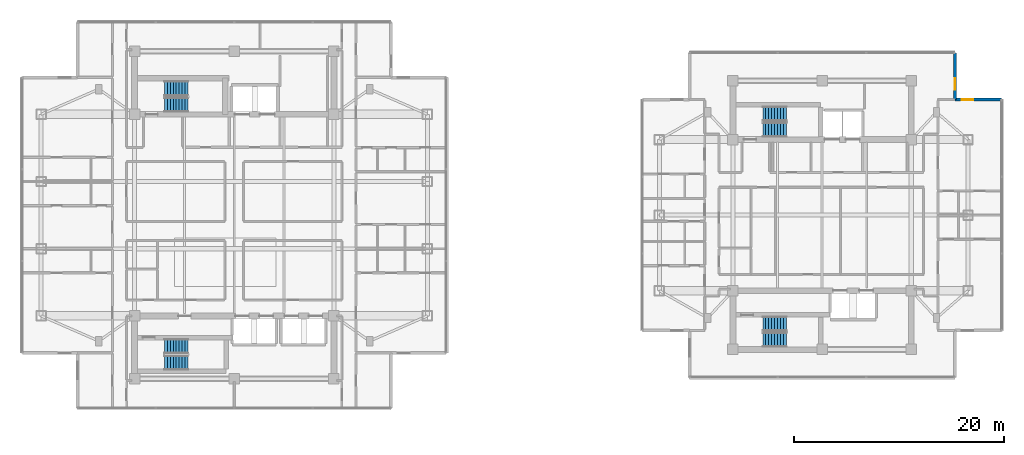
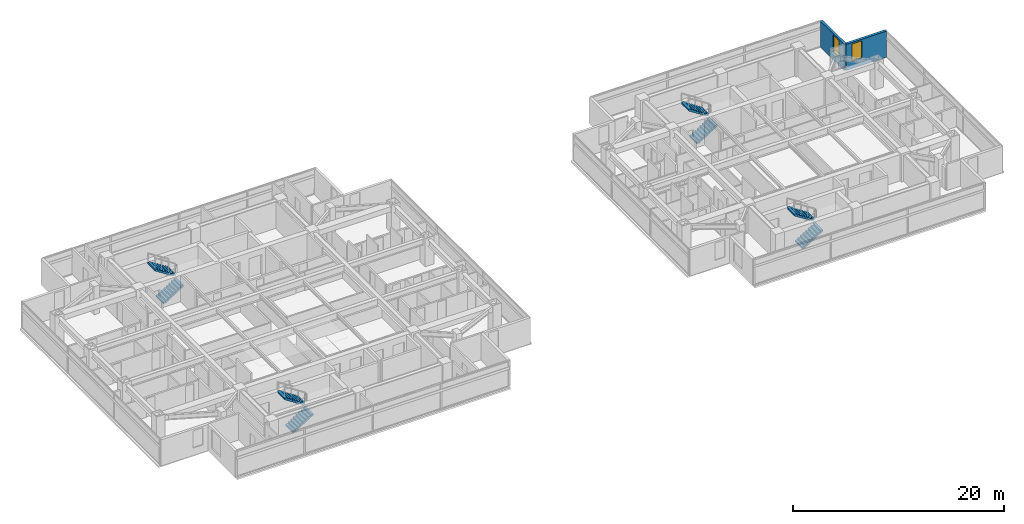
# One storey, part 18 of 24: 8 stair flights, 2 walls, 2 windows, 2 openings, 4 elements without a shape of their own.
"""IFC4 building model written with IfcOpenShell, lengths in metres."""

from ifc_helpers import new_model, si_unit, direction, frame, frame_2d, origin, place, context, subcontext, project, spatial, polyline, rectangle, outline, extrude, material, layer, layer_set, type_object, element, fill, aggregate, save


model = new_model("IFC4")

# Units and contexts
model_context = context("Model", 3, precision=1e-05, world=origin(), true_north=direction((0.0, 1.0)))
body_context = subcontext(model_context, "Body", "Model", "MODEL_VIEW")
ifc_project = project(units=[si_unit("LENGTHUNIT", "METRE"), si_unit("AREAUNIT", "SQUARE_METRE"), si_unit("VOLUMEUNIT", "CUBIC_METRE"), si_unit("PLANEANGLEUNIT", "RADIAN"), si_unit("MASSUNIT", "GRAM", prefix="KILO")], contexts=[model_context])

# Site, building, storey
site_placement = place(None, origin())
site = spatial("IfcSite", under=ifc_project, at=site_placement, CompositionType="ELEMENT")
building_placement = place(site_placement, origin())
building = spatial("IfcBuilding", under=site, at=building_placement, Name="Mirazonda Arch Towers", CompositionType="ELEMENT")
storey_placement = place(building_placement, frame((0.0, 0.0, 160.89990234375)))
storey = spatial("IfcBuildingStorey", under=building, at=storey_placement, Name="L45", CompositionType="ELEMENT", Elevation=160.89990234375)

# Wall, opening, window
ifc_material_1 = material(Name="Precast Concrete C40/50", Category="concrete")
ifc_layer = layer(ifc_material_1, 0.280029296875, Name="WALL-EXT-WALL-280")
ifc_layer_set = layer_set([ifc_layer], Name="Precast Concrete C40/50")
wall_type = type_object("IfcWallType", Name="WALL-EXT-WALL-280", PredefinedType="SOLIDWALL", material=ifc_layer_set)
wall_1_placement = place(storey_placement, frame((89.143310546875, 38.992919921875, 0.0), z_axis=(0.0, 0.0, 1.0), x_axis=(0.0, 1.0, 0.0)))
wall_1 = element("IfcWall", 1, at=wall_1_placement, inside=storey, type_object=wall_type, Name="L45 T2 Notched NE Corner Wall WL-L45-T2-CNE", PredefinedType="SOLIDWALL", context=body_context, shape_type="SweptSolid", body=[
    extrude(rectangle(XDim=4.465087890625, YDim=0.280029296875, at=frame_2d((2.232421875, 0.0))), origin(), (0.0, 0.0, 1.0), 3.030029296875),
])
opening_1_placement = place(wall_1_placement, frame((0.949951171875, 0.0, 0.85009765625)))
opening_1 = element("IfcOpeningElement", 2, at=opening_1_placement, cuts=wall_1, Name="Opening WN-108", PredefinedType="OPENING", context=body_context, shape_type="SweptSolid", body=[
    extrude(rectangle(XDim=1.10009765625, YDim=2.0, at=frame_2d((0.550048828125, 1.0))), frame((0.0, 0.14990234375, 0.0), z_axis=(0.0, -1.0, 0.0), x_axis=(1.0, 0.0, 0.0)), (0.0, 0.0, 1.0), 0.300048828125),
])
ifc_material_2 = material(Name="Insulated Low-E Solar Glass", Category="glass")
window_type = type_object("IfcWindowType", Name="WIN-NOTCH-1100x2000", PartitioningType="SINGLE_PANEL", PredefinedType="WINDOW", material=ifc_material_2)
window_1_placement = place(opening_1_placement, origin())
window_1 = element("IfcWindow", 3, at=window_1_placement, inside=storey, type_object=window_type, Name="L45 Punched Facade Window WN-L45-T2-CNE", OverallHeight=2.0, OverallWidth=1.10009765625, PartitioningType="SINGLE_PANEL", PredefinedType="WINDOW", context=body_context, shape_type="SweptSolid", body=[
    extrude(rectangle(XDim=1.10009765625, YDim=2.0, at=frame_2d((0.550048828125, 1.0))), frame((0.0, 0.030029296875, 0.0), z_axis=(0.0, -1.0, 0.0), x_axis=(1.0, 0.0, 0.0)), (0.0, 0.0, 1.0), 0.06005859375),
])
fill(opening_1, window_1)

wall_2_placement = place(storey_placement, frame((93.6083984375, 38.992919921875, 0.0), z_axis=(0.0, 0.0, 1.0), x_axis=(-1.0, 0.0, 0.0)))
wall_2 = element("IfcWall", 4, at=wall_2_placement, inside=storey, type_object=wall_type, Name="L45 T2 Corner Notch Return Wall WL-L45-T2-CNE2", PredefinedType="SOLIDWALL", context=body_context, shape_type="SweptSolid", body=[
    extrude(rectangle(XDim=4.465087890625, YDim=0.280029296875, at=frame_2d((2.232421875, 0.0))), origin(), (0.0, 0.0, 1.0), 3.030029296875),
])
opening_2_placement = place(wall_2_placement, frame((2.715087890625, 0.0, 0.85009765625)))
opening_2 = element("IfcOpeningElement", 5, at=opening_2_placement, cuts=wall_2, Name="Opening WN-108", PredefinedType="OPENING", context=body_context, shape_type="SweptSolid", body=[
    extrude(rectangle(XDim=1.10009765625, YDim=2.0, at=frame_2d((0.550048828125, 1.0))), frame((0.0, 0.14990234375, 0.0), z_axis=(0.0, -1.0, 0.0), x_axis=(1.0, 0.0, 0.0)), (0.0, 0.0, 1.0), 0.300048828125),
])
window_2_placement = place(opening_2_placement, origin())
window_2 = element("IfcWindow", 6, at=window_2_placement, inside=storey, type_object=window_type, Name="L45 Punched Facade Window WN-L45-T2-CNE2", OverallHeight=2.0, OverallWidth=1.10009765625, PartitioningType="SINGLE_PANEL", PredefinedType="WINDOW", context=body_context, shape_type="SweptSolid", body=[
    extrude(rectangle(XDim=1.10009765625, YDim=2.0, at=frame_2d((0.550048828125, 1.0))), frame((0.0, 0.030029296875, 0.0), z_axis=(0.0, -1.0, 0.0), x_axis=(1.0, 0.0, 0.0)), (0.0, 0.0, 1.0), 0.06005859375),
])
fill(opening_2, window_2)

# Stair, stair flights
ifc_material_3 = material(Name="Concrete C40/50", Category="concrete")
stair_type = type_object("IfcStairType", Name="STAIR-CORE-1400", PredefinedType="HALF_TURN_STAIR", material=ifc_material_3)
stair_1_placement = place(storey_placement, origin())
stair_1 = element("IfcStair", 7, at=stair_1_placement, inside=storey, type_object=stair_type, Name="L45 Protected Exit Stair ST-T1N", PredefinedType="HALF_TURN_STAIR")
stair_flight_type = type_object("IfcStairFlightType", Name="FLIGHT-1400", PredefinedType="STRAIGHT", material=ifc_material_3)
stair_flight_1_placement = place(storey_placement, frame((13.85009765625, 38.52001953125, 0.0), z_axis=(0.0, 0.0, 1.0), x_axis=(1.0, 0.0, 0.0)))
stair_flight_1 = element("IfcStairFlight", 8, at=stair_flight_1_placement, type_object=stair_flight_type, Name="ST-T1N flight 1", NumberOfRisers=9, NumberOfTreads=8, PredefinedType="STRAIGHT", RiserHeight=0.180555556, TreadLength=0.28, context=body_context, shape_type="SweptSolid", body=[
    extrude(outline(polyline([(0.0, 0.0), (0.0, 0.1806640625), (0.280029296875, 0.1806640625), (0.280029296875, 0.361083984375), (0.56005859375, 0.361083984375), (0.56005859375, 0.541748046875), (0.840087890625, 0.541748046875), (0.840087890625, 0.72216796875), (1.1201171875, 0.72216796875), (1.1201171875, 0.90283203125), (1.39990234375, 0.90283203125), (1.39990234375, 1.083251953125), (1.679931640625, 1.083251953125), (1.679931640625, 1.263916015625), (1.9599609375, 1.263916015625), (1.9599609375, 1.4443359375), (2.239990234375, 1.4443359375), (2.239990234375, 1.625), (2.239990234375, 1.254150390625), (0.295166015625, 0.0), (0.0, 0.0)])), frame((0.0, 0.699951171875, 0.0), z_axis=(0.0, -1.0, 0.0), x_axis=(1.0, 0.0, 0.0)), (0.0, 0.0, 1.0), 1.39990234375),
])
stair_flight_2_placement = place(storey_placement, frame((16.090087890625, 40.06005859375, 1.625), z_axis=(0.0, 0.0, 1.0), x_axis=(-1.0, 0.0, 0.0)))
stair_flight_2 = element("IfcStairFlight", 9, at=stair_flight_2_placement, type_object=stair_flight_type, Name="ST-T1N flight 2", NumberOfRisers=9, NumberOfTreads=8, PredefinedType="STRAIGHT", RiserHeight=0.180555556, TreadLength=0.28, context=body_context, shape_type="SweptSolid", body=[
    extrude(outline(polyline([(0.0, 0.0), (0.0, 0.1806640625), (0.280029296875, 0.1806640625), (0.280029296875, 0.361083984375), (0.56005859375, 0.361083984375), (0.56005859375, 0.541748046875), (0.840087890625, 0.541748046875), (0.840087890625, 0.72216796875), (1.1201171875, 0.72216796875), (1.1201171875, 0.90283203125), (1.39990234375, 0.90283203125), (1.39990234375, 1.083251953125), (1.679931640625, 1.083251953125), (1.679931640625, 1.263916015625), (1.9599609375, 1.263916015625), (1.9599609375, 1.4443359375), (2.239990234375, 1.4443359375), (2.239990234375, 1.625), (2.239990234375, 1.254150390625), (0.295166015625, 0.0), (0.0, 0.0)])), frame((0.0, 0.699951171875, 0.0), z_axis=(0.0, -1.0, 0.0), x_axis=(1.0, 0.0, 0.0)), (0.0, 0.0, 1.0), 1.39990234375),
])
aggregate(stair_1, [stair_flight_1, stair_flight_2])

stair_2_placement = place(storey_placement, origin())
stair_2 = element("IfcStair", 10, at=stair_2_placement, inside=storey, type_object=stair_type, Name="L45 Protected Exit Stair ST-T1S", PredefinedType="HALF_TURN_STAIR")
stair_flight_3_placement = place(storey_placement, frame((13.85009765625, 13.949951171875, 0.0), z_axis=(0.0, 0.0, 1.0), x_axis=(1.0, 0.0, 0.0)))
stair_flight_3 = element("IfcStairFlight", 11, at=stair_flight_3_placement, type_object=stair_flight_type, Name="ST-T1S flight 1", NumberOfRisers=9, NumberOfTreads=8, PredefinedType="STRAIGHT", RiserHeight=0.180555556, TreadLength=0.28, context=body_context, shape_type="SweptSolid", body=[
    extrude(outline(polyline([(0.0, 0.0), (0.0, 0.1806640625), (0.280029296875, 0.1806640625), (0.280029296875, 0.361083984375), (0.56005859375, 0.361083984375), (0.56005859375, 0.541748046875), (0.840087890625, 0.541748046875), (0.840087890625, 0.72216796875), (1.1201171875, 0.72216796875), (1.1201171875, 0.90283203125), (1.39990234375, 0.90283203125), (1.39990234375, 1.083251953125), (1.679931640625, 1.083251953125), (1.679931640625, 1.263916015625), (1.9599609375, 1.263916015625), (1.9599609375, 1.4443359375), (2.239990234375, 1.4443359375), (2.239990234375, 1.625), (2.239990234375, 1.254150390625), (0.295166015625, 0.0), (0.0, 0.0)])), frame((0.0, 0.699951171875, 0.0), z_axis=(0.0, -1.0, 0.0), x_axis=(1.0, 0.0, 0.0)), (0.0, 0.0, 1.0), 1.39990234375),
])
stair_flight_4_placement = place(storey_placement, frame((16.090087890625, 15.489990234375, 1.625), z_axis=(0.0, 0.0, 1.0), x_axis=(-1.0, 0.0, 0.0)))
stair_flight_4 = element("IfcStairFlight", 12, at=stair_flight_4_placement, type_object=stair_flight_type, Name="ST-T1S flight 2", NumberOfRisers=9, NumberOfTreads=8, PredefinedType="STRAIGHT", RiserHeight=0.180555556, TreadLength=0.28, context=body_context, shape_type="SweptSolid", body=[
    extrude(outline(polyline([(0.0, 0.0), (0.0, 0.1806640625), (0.280029296875, 0.1806640625), (0.280029296875, 0.361083984375), (0.56005859375, 0.361083984375), (0.56005859375, 0.541748046875), (0.840087890625, 0.541748046875), (0.840087890625, 0.72216796875), (1.1201171875, 0.72216796875), (1.1201171875, 0.90283203125), (1.39990234375, 0.90283203125), (1.39990234375, 1.083251953125), (1.679931640625, 1.083251953125), (1.679931640625, 1.263916015625), (1.9599609375, 1.263916015625), (1.9599609375, 1.4443359375), (2.239990234375, 1.4443359375), (2.239990234375, 1.625), (2.239990234375, 1.254150390625), (0.295166015625, 0.0), (0.0, 0.0)])), frame((0.0, 0.699951171875, 0.0), z_axis=(0.0, -1.0, 0.0), x_axis=(1.0, 0.0, 0.0)), (0.0, 0.0, 1.0), 1.39990234375),
])
aggregate(stair_2, [stair_flight_3, stair_flight_4])

stair_3_placement = place(storey_placement, origin())
stair_3 = element("IfcStair", 13, at=stair_3_placement, inside=storey, type_object=stair_type, Name="L45 Protected Exit Stair ST-T2N", PredefinedType="HALF_TURN_STAIR")
stair_flight_5_placement = place(storey_placement, frame((70.85009765625, 36.1201171875, 0.0), z_axis=(0.0, 0.0, 1.0), x_axis=(1.0, 0.0, 0.0)))
stair_flight_5 = element("IfcStairFlight", 14, at=stair_flight_5_placement, type_object=stair_flight_type, Name="ST-T2N flight 1", NumberOfRisers=9, NumberOfTreads=8, PredefinedType="STRAIGHT", RiserHeight=0.180555556, TreadLength=0.28, context=body_context, shape_type="SweptSolid", body=[
    extrude(outline(polyline([(0.0, 0.0), (0.0, 0.1806640625), (0.280029296875, 0.1806640625), (0.280029296875, 0.361083984375), (0.56005859375, 0.361083984375), (0.56005859375, 0.541748046875), (0.840087890625, 0.541748046875), (0.840087890625, 0.72216796875), (1.1201171875, 0.72216796875), (1.1201171875, 0.90283203125), (1.39990234375, 0.90283203125), (1.39990234375, 1.083251953125), (1.679931640625, 1.083251953125), (1.679931640625, 1.263916015625), (1.9599609375, 1.263916015625), (1.9599609375, 1.4443359375), (2.239990234375, 1.4443359375), (2.239990234375, 1.625), (2.239990234375, 1.254150390625), (0.295166015625, 0.0), (0.0, 0.0)])), frame((0.0, 0.699951171875, 0.0), z_axis=(0.0, -1.0, 0.0), x_axis=(1.0, 0.0, 0.0)), (0.0, 0.0, 1.0), 1.39990234375),
])
stair_flight_6_placement = place(storey_placement, frame((73.090087890625, 37.659912109375, 1.625), z_axis=(0.0, 0.0, 1.0), x_axis=(-1.0, 0.0, 0.0)))
stair_flight_6 = element("IfcStairFlight", 15, at=stair_flight_6_placement, type_object=stair_flight_type, Name="ST-T2N flight 2", NumberOfRisers=9, NumberOfTreads=8, PredefinedType="STRAIGHT", RiserHeight=0.180555556, TreadLength=0.28, context=body_context, shape_type="SweptSolid", body=[
    extrude(outline(polyline([(0.0, 0.0), (0.0, 0.1806640625), (0.280029296875, 0.1806640625), (0.280029296875, 0.361083984375), (0.56005859375, 0.361083984375), (0.56005859375, 0.541748046875), (0.840087890625, 0.541748046875), (0.840087890625, 0.72216796875), (1.1201171875, 0.72216796875), (1.1201171875, 0.90283203125), (1.39990234375, 0.90283203125), (1.39990234375, 1.083251953125), (1.679931640625, 1.083251953125), (1.679931640625, 1.263916015625), (1.9599609375, 1.263916015625), (1.9599609375, 1.4443359375), (2.239990234375, 1.4443359375), (2.239990234375, 1.625), (2.239990234375, 1.254150390625), (0.295166015625, 0.0), (0.0, 0.0)])), frame((0.0, 0.699951171875, 0.0), z_axis=(0.0, -1.0, 0.0), x_axis=(1.0, 0.0, 0.0)), (0.0, 0.0, 1.0), 1.39990234375),
])
aggregate(stair_3, [stair_flight_5, stair_flight_6])

stair_4_placement = place(storey_placement, origin())
stair_4 = element("IfcStair", 16, at=stair_4_placement, inside=storey, type_object=stair_type, Name="L45 Protected Exit Stair ST-T2S", PredefinedType="HALF_TURN_STAIR")
stair_flight_7_placement = place(storey_placement, frame((70.85009765625, 16.1201171875, 0.0), z_axis=(0.0, 0.0, 1.0), x_axis=(1.0, 0.0, 0.0)))
stair_flight_7 = element("IfcStairFlight", 17, at=stair_flight_7_placement, type_object=stair_flight_type, Name="ST-T2S flight 1", NumberOfRisers=9, NumberOfTreads=8, PredefinedType="STRAIGHT", RiserHeight=0.180555556, TreadLength=0.28, context=body_context, shape_type="SweptSolid", body=[
    extrude(outline(polyline([(0.0, 0.0), (0.0, 0.1806640625), (0.280029296875, 0.1806640625), (0.280029296875, 0.361083984375), (0.56005859375, 0.361083984375), (0.56005859375, 0.541748046875), (0.840087890625, 0.541748046875), (0.840087890625, 0.72216796875), (1.1201171875, 0.72216796875), (1.1201171875, 0.90283203125), (1.39990234375, 0.90283203125), (1.39990234375, 1.083251953125), (1.679931640625, 1.083251953125), (1.679931640625, 1.263916015625), (1.9599609375, 1.263916015625), (1.9599609375, 1.4443359375), (2.239990234375, 1.4443359375), (2.239990234375, 1.625), (2.239990234375, 1.254150390625), (0.295166015625, 0.0), (0.0, 0.0)])), frame((0.0, 0.699951171875, 0.0), z_axis=(0.0, -1.0, 0.0), x_axis=(1.0, 0.0, 0.0)), (0.0, 0.0, 1.0), 1.39990234375),
])
stair_flight_8_placement = place(storey_placement, frame((73.090087890625, 17.659912109375, 1.625), z_axis=(0.0, 0.0, 1.0), x_axis=(-1.0, 0.0, 0.0)))
stair_flight_8 = element("IfcStairFlight", 18, at=stair_flight_8_placement, type_object=stair_flight_type, Name="ST-T2S flight 2", NumberOfRisers=9, NumberOfTreads=8, PredefinedType="STRAIGHT", RiserHeight=0.180555556, TreadLength=0.28, context=body_context, shape_type="SweptSolid", body=[
    extrude(outline(polyline([(0.0, 0.0), (0.0, 0.1806640625), (0.280029296875, 0.1806640625), (0.280029296875, 0.361083984375), (0.56005859375, 0.361083984375), (0.56005859375, 0.541748046875), (0.840087890625, 0.541748046875), (0.840087890625, 0.72216796875), (1.1201171875, 0.72216796875), (1.1201171875, 0.90283203125), (1.39990234375, 0.90283203125), (1.39990234375, 1.083251953125), (1.679931640625, 1.083251953125), (1.679931640625, 1.263916015625), (1.9599609375, 1.263916015625), (1.9599609375, 1.4443359375), (2.239990234375, 1.4443359375), (2.239990234375, 1.625), (2.239990234375, 1.254150390625), (0.295166015625, 0.0), (0.0, 0.0)])), frame((0.0, 0.699951171875, 0.0), z_axis=(0.0, -1.0, 0.0), x_axis=(1.0, 0.0, 0.0)), (0.0, 0.0, 1.0), 1.39990234375),
])
aggregate(stair_4, [stair_flight_7, stair_flight_8])

save(model, "model.ifc")
